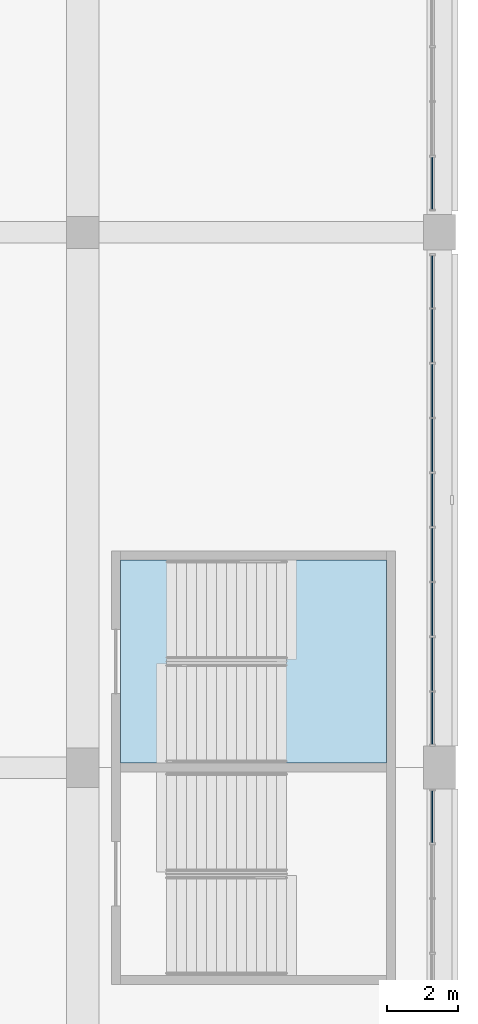
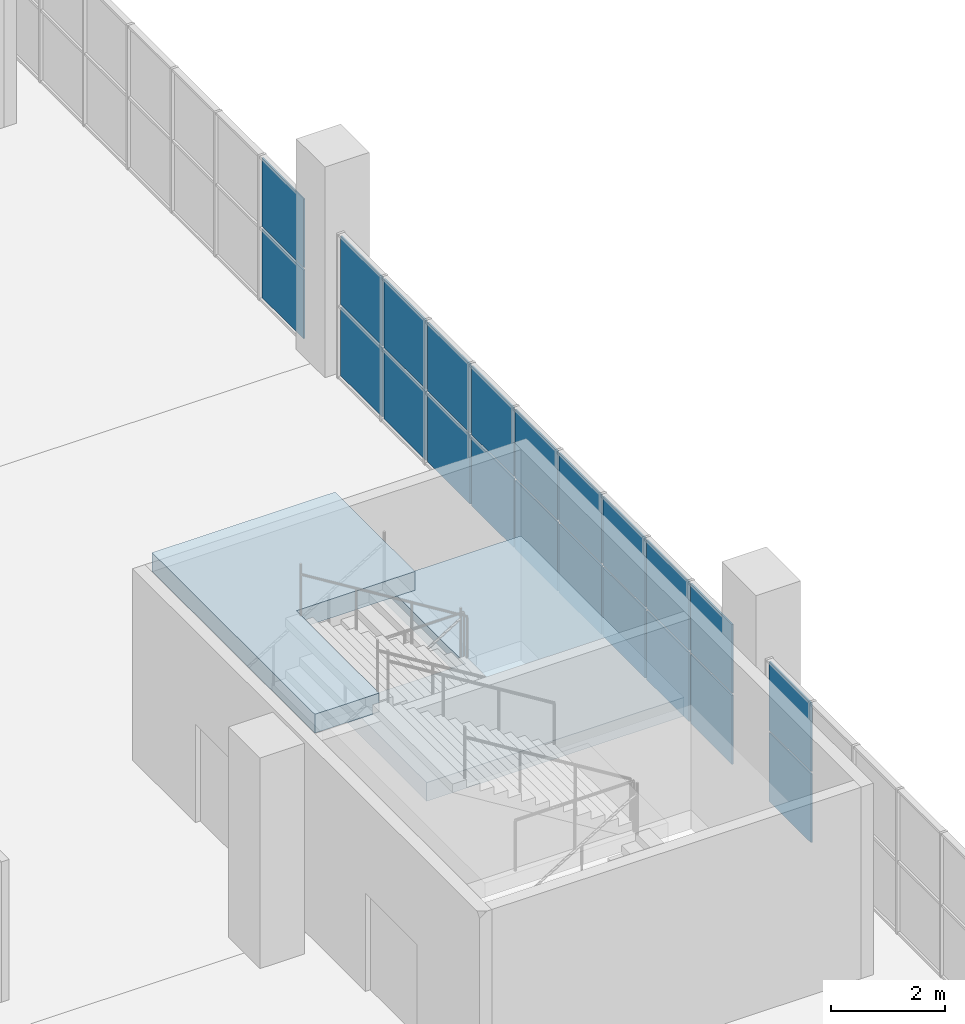
# One storey, part 65 of 199: 22 plates, 2 slabs, 4 elements without a shape of their own.
"""IFC4 building model written with IfcOpenShell, lengths in metres."""

from ifc_helpers import new_model, si_unit, direction, frame, origin, origin_2d, place, context, subcontext, project, spatial, polyline, rectangle, outline, extrude, material, layer, layer_set, type_object, element, aggregate, save


model = new_model("IFC4")

# Units and contexts
model_context = context("Model", 3, precision=1e-05, world=origin(), true_north=direction((0.0, 1.0)))
body_context = subcontext(model_context, "Body", "Model", "MODEL_VIEW")
ifc_project = project(units=[si_unit("LENGTHUNIT", "METRE"), si_unit("AREAUNIT", "SQUARE_METRE"), si_unit("VOLUMEUNIT", "CUBIC_METRE"), si_unit("PLANEANGLEUNIT", "RADIAN"), si_unit("MASSUNIT", "GRAM", prefix="KILO")], contexts=[model_context])

# Site, building, storey
site_placement = place(None, origin())
site = spatial("IfcSite", under=ifc_project, at=site_placement, CompositionType="ELEMENT")
building_placement = place(site_placement, origin())
building = spatial("IfcBuilding", under=site, at=building_placement, Name="Ogive Plaza Stadium", CompositionType="ELEMENT")
storey_placement = place(building_placement, frame((0.0, 0.0, 9.0)))
storey = spatial("IfcBuildingStorey", under=building, at=storey_placement, Name="L02", CompositionType="ELEMENT", Elevation=9.0)

# Curtain wall, plates
ifc_material_1 = material(Name="Bronze-anodised aluminium with laminated glass", Category="aluminium")
curtain_wall_type = type_object("IfcCurtainWallType", Name="Lancet curtain wall", PredefinedType="NOTDEFINED", material=ifc_material_1)
curtain_wall_1_placement = place(storey_placement, origin())
curtain_wall_1 = element("IfcCurtainWall", 1, at=curtain_wall_1_placement, inside=storey, type_object=curtain_wall_type, Name="CURTAIN WALL B02 L02", PredefinedType="NOTDEFINED")
ifc_material_2 = material(Name="Laminated glass", Category="glass")
ifc_layer_1 = layer(ifc_material_2, 0.028076171875)
ifc_layer_set_1 = layer_set([ifc_layer_1], Name="Laminated glass panel 28")
plate_type = type_object("IfcPlateType", Name="Laminated glass panel 28", PredefinedType="CURTAIN_PANEL", material=ifc_layer_set_1)
plate_1_placement = place(storey_placement, frame((83.800048828125, 23.879150390625, 0.0498046875), z_axis=(0.0, 0.0, 1.0), x_axis=(0.0, -1.0, 0.0)))
plate_1 = element("IfcPlate", 2, at=plate_1_placement, type_object=plate_type, Name="CW-B02-L02 panel 9.1", PredefinedType="CURTAIN_PANEL", context=body_context, shape_type="SweptSolid", body=[
    extrude(rectangle(XDim=1.458251953125, YDim=0.028076171875, at=origin_2d()), origin(), (0.0, 0.0, 1.0), 1.469970703125),
])
plate_2_placement = place(storey_placement, frame((83.800048828125, 23.879150390625, 1.56982421875), z_axis=(0.0, 0.0, 1.0), x_axis=(0.0, -1.0, 0.0)))
plate_2 = element("IfcPlate", 3, at=plate_2_placement, type_object=plate_type, Name="CW-B02-L02 panel 9.2", PredefinedType="CURTAIN_PANEL", context=body_context, shape_type="SweptSolid", body=[
    extrude(rectangle(XDim=1.458251953125, YDim=0.028076171875, at=origin_2d()), origin(), (0.0, 0.0, 1.0), 1.469970703125),
])
aggregate(curtain_wall_1, [plate_1, plate_2])

curtain_wall_2_placement = place(storey_placement, origin())
curtain_wall_2 = element("IfcCurtainWall", 4, at=curtain_wall_2_placement, inside=storey, type_object=curtain_wall_type, Name="CURTAIN WALL B03 L02", PredefinedType="NOTDEFINED")
plate_3_placement = place(storey_placement, frame((83.800048828125, 21.120849609375, 0.0498046875), z_axis=(0.0, 0.0, 1.0), x_axis=(0.0, -1.0, 0.0)))
plate_3 = element("IfcPlate", 5, at=plate_3_placement, type_object=plate_type, Name="CW-B03-L02 panel 1.1", PredefinedType="CURTAIN_PANEL", context=body_context, shape_type="SweptSolid", body=[
    extrude(rectangle(XDim=1.458251953125, YDim=0.028076171875, at=origin_2d()), origin(), (0.0, 0.0, 1.0), 1.469970703125),
])
plate_4_placement = place(storey_placement, frame((83.800048828125, 21.120849609375, 1.56982421875), z_axis=(0.0, 0.0, 1.0), x_axis=(0.0, -1.0, 0.0)))
plate_4 = element("IfcPlate", 6, at=plate_4_placement, type_object=plate_type, Name="CW-B03-L02 panel 1.2", PredefinedType="CURTAIN_PANEL", context=body_context, shape_type="SweptSolid", body=[
    extrude(rectangle(XDim=1.458251953125, YDim=0.028076171875, at=origin_2d()), origin(), (0.0, 0.0, 1.0), 1.469970703125),
])
plate_5_placement = place(storey_placement, frame((83.800048828125, 19.60009765625, 0.0498046875), z_axis=(0.0, 0.0, 1.0), x_axis=(0.0, -1.0, 0.0)))
plate_5 = element("IfcPlate", 7, at=plate_5_placement, type_object=plate_type, Name="CW-B03-L02 panel 2.1", PredefinedType="CURTAIN_PANEL", context=body_context, shape_type="SweptSolid", body=[
    extrude(rectangle(XDim=1.4833984375, YDim=0.028076171875, at=origin_2d()), origin(), (0.0, 0.0, 1.0), 1.469970703125),
])
plate_6_placement = place(storey_placement, frame((83.800048828125, 19.60009765625, 1.56982421875), z_axis=(0.0, 0.0, 1.0), x_axis=(0.0, -1.0, 0.0)))
plate_6 = element("IfcPlate", 8, at=plate_6_placement, type_object=plate_type, Name="CW-B03-L02 panel 2.2", PredefinedType="CURTAIN_PANEL", context=body_context, shape_type="SweptSolid", body=[
    extrude(rectangle(XDim=1.4833984375, YDim=0.028076171875, at=origin_2d()), origin(), (0.0, 0.0, 1.0), 1.469970703125),
])
plate_7_placement = place(storey_placement, frame((83.800048828125, 18.066650390625, 0.0498046875), z_axis=(0.0, 0.0, 1.0), x_axis=(0.0, -1.0, 0.0)))
plate_7 = element("IfcPlate", 9, at=plate_7_placement, type_object=plate_type, Name="CW-B03-L02 panel 3.1", PredefinedType="CURTAIN_PANEL", context=body_context, shape_type="SweptSolid", body=[
    extrude(rectangle(XDim=1.4833984375, YDim=0.028076171875, at=origin_2d()), origin(), (0.0, 0.0, 1.0), 1.469970703125),
])
plate_8_placement = place(storey_placement, frame((83.800048828125, 18.066650390625, 1.56982421875), z_axis=(0.0, 0.0, 1.0), x_axis=(0.0, -1.0, 0.0)))
plate_8 = element("IfcPlate", 10, at=plate_8_placement, type_object=plate_type, Name="CW-B03-L02 panel 3.2", PredefinedType="CURTAIN_PANEL", context=body_context, shape_type="SweptSolid", body=[
    extrude(rectangle(XDim=1.4833984375, YDim=0.028076171875, at=origin_2d()), origin(), (0.0, 0.0, 1.0), 1.469970703125),
])
plate_9_placement = place(storey_placement, frame((83.800048828125, 16.533447265625, 0.0498046875), z_axis=(0.0, 0.0, 1.0), x_axis=(0.0, -1.0, 0.0)))
plate_9 = element("IfcPlate", 11, at=plate_9_placement, type_object=plate_type, Name="CW-B03-L02 panel 4.1", PredefinedType="CURTAIN_PANEL", context=body_context, shape_type="SweptSolid", body=[
    extrude(rectangle(XDim=1.4833984375, YDim=0.028076171875, at=origin_2d()), origin(), (0.0, 0.0, 1.0), 1.469970703125),
])
plate_10_placement = place(storey_placement, frame((83.800048828125, 16.533447265625, 1.56982421875), z_axis=(0.0, 0.0, 1.0), x_axis=(0.0, -1.0, 0.0)))
plate_10 = element("IfcPlate", 12, at=plate_10_placement, type_object=plate_type, Name="CW-B03-L02 panel 4.2", PredefinedType="CURTAIN_PANEL", context=body_context, shape_type="SweptSolid", body=[
    extrude(rectangle(XDim=1.4833984375, YDim=0.028076171875, at=origin_2d()), origin(), (0.0, 0.0, 1.0), 1.469970703125),
])
plate_11_placement = place(storey_placement, frame((83.800048828125, 15.0, 0.0498046875), z_axis=(0.0, 0.0, 1.0), x_axis=(0.0, -1.0, 0.0)))
plate_11 = element("IfcPlate", 13, at=plate_11_placement, type_object=plate_type, Name="CW-B03-L02 panel 5.1", PredefinedType="CURTAIN_PANEL", context=body_context, shape_type="SweptSolid", body=[
    extrude(rectangle(XDim=1.4833984375, YDim=0.028076171875, at=origin_2d()), origin(), (0.0, 0.0, 1.0), 1.469970703125),
])
plate_12_placement = place(storey_placement, frame((83.800048828125, 15.0, 1.56982421875), z_axis=(0.0, 0.0, 1.0), x_axis=(0.0, -1.0, 0.0)))
plate_12 = element("IfcPlate", 14, at=plate_12_placement, type_object=plate_type, Name="CW-B03-L02 panel 5.2", PredefinedType="CURTAIN_PANEL", context=body_context, shape_type="SweptSolid", body=[
    extrude(rectangle(XDim=1.4833984375, YDim=0.028076171875, at=origin_2d()), origin(), (0.0, 0.0, 1.0), 1.469970703125),
])
plate_13_placement = place(storey_placement, frame((83.800048828125, 13.466552734375, 0.0498046875), z_axis=(0.0, 0.0, 1.0), x_axis=(0.0, -1.0, 0.0)))
plate_13 = element("IfcPlate", 15, at=plate_13_placement, type_object=plate_type, Name="CW-B03-L02 panel 6.1", PredefinedType="CURTAIN_PANEL", context=body_context, shape_type="SweptSolid", body=[
    extrude(rectangle(XDim=1.4833984375, YDim=0.028076171875, at=origin_2d()), origin(), (0.0, 0.0, 1.0), 1.469970703125),
])
plate_14_placement = place(storey_placement, frame((83.800048828125, 13.466552734375, 1.56982421875), z_axis=(0.0, 0.0, 1.0), x_axis=(0.0, -1.0, 0.0)))
plate_14 = element("IfcPlate", 16, at=plate_14_placement, type_object=plate_type, Name="CW-B03-L02 panel 6.2", PredefinedType="CURTAIN_PANEL", context=body_context, shape_type="SweptSolid", body=[
    extrude(rectangle(XDim=1.4833984375, YDim=0.028076171875, at=origin_2d()), origin(), (0.0, 0.0, 1.0), 1.469970703125),
])
plate_15_placement = place(storey_placement, frame((83.800048828125, 11.933349609375, 0.0498046875), z_axis=(0.0, 0.0, 1.0), x_axis=(0.0, -1.0, 0.0)))
plate_15 = element("IfcPlate", 17, at=plate_15_placement, type_object=plate_type, Name="CW-B03-L02 panel 7.1", PredefinedType="CURTAIN_PANEL", context=body_context, shape_type="SweptSolid", body=[
    extrude(rectangle(XDim=1.4833984375, YDim=0.028076171875, at=origin_2d()), origin(), (0.0, 0.0, 1.0), 1.469970703125),
])
plate_16_placement = place(storey_placement, frame((83.800048828125, 11.933349609375, 1.56982421875), z_axis=(0.0, 0.0, 1.0), x_axis=(0.0, -1.0, 0.0)))
plate_16 = element("IfcPlate", 18, at=plate_16_placement, type_object=plate_type, Name="CW-B03-L02 panel 7.2", PredefinedType="CURTAIN_PANEL", context=body_context, shape_type="SweptSolid", body=[
    extrude(rectangle(XDim=1.4833984375, YDim=0.028076171875, at=origin_2d()), origin(), (0.0, 0.0, 1.0), 1.469970703125),
])
plate_17_placement = place(storey_placement, frame((83.800048828125, 10.39990234375, 0.0498046875), z_axis=(0.0, 0.0, 1.0), x_axis=(0.0, -1.0, 0.0)))
plate_17 = element("IfcPlate", 19, at=plate_17_placement, type_object=plate_type, Name="CW-B03-L02 panel 8.1", PredefinedType="CURTAIN_PANEL", context=body_context, shape_type="SweptSolid", body=[
    extrude(rectangle(XDim=1.4833984375, YDim=0.028076171875, at=origin_2d()), origin(), (0.0, 0.0, 1.0), 1.469970703125),
])
plate_18_placement = place(storey_placement, frame((83.800048828125, 10.39990234375, 1.56982421875), z_axis=(0.0, 0.0, 1.0), x_axis=(0.0, -1.0, 0.0)))
plate_18 = element("IfcPlate", 20, at=plate_18_placement, type_object=plate_type, Name="CW-B03-L02 panel 8.2", PredefinedType="CURTAIN_PANEL", context=body_context, shape_type="SweptSolid", body=[
    extrude(rectangle(XDim=1.4833984375, YDim=0.028076171875, at=origin_2d()), origin(), (0.0, 0.0, 1.0), 1.469970703125),
])
plate_19_placement = place(storey_placement, frame((83.800048828125, 8.879150390625, 0.0498046875), z_axis=(0.0, 0.0, 1.0), x_axis=(0.0, -1.0, 0.0)))
plate_19 = element("IfcPlate", 21, at=plate_19_placement, type_object=plate_type, Name="CW-B03-L02 panel 9.1", PredefinedType="CURTAIN_PANEL", context=body_context, shape_type="SweptSolid", body=[
    extrude(rectangle(XDim=1.458251953125, YDim=0.028076171875, at=origin_2d()), origin(), (0.0, 0.0, 1.0), 1.469970703125),
])
plate_20_placement = place(storey_placement, frame((83.800048828125, 8.879150390625, 1.56982421875), z_axis=(0.0, 0.0, 1.0), x_axis=(0.0, -1.0, 0.0)))
plate_20 = element("IfcPlate", 22, at=plate_20_placement, type_object=plate_type, Name="CW-B03-L02 panel 9.2", PredefinedType="CURTAIN_PANEL", context=body_context, shape_type="SweptSolid", body=[
    extrude(rectangle(XDim=1.458251953125, YDim=0.028076171875, at=origin_2d()), origin(), (0.0, 0.0, 1.0), 1.469970703125),
])
aggregate(curtain_wall_2, [plate_3, plate_4, plate_5, plate_6, plate_7, plate_8, plate_9, plate_10, plate_11, plate_12, plate_13, plate_14, plate_15, plate_16, plate_17, plate_18, plate_19, plate_20])

curtain_wall_3_placement = place(storey_placement, origin())
curtain_wall_3 = element("IfcCurtainWall", 23, at=curtain_wall_3_placement, inside=storey, type_object=curtain_wall_type, Name="CURTAIN WALL B04 L02", PredefinedType="NOTDEFINED")
plate_21_placement = place(storey_placement, frame((83.800048828125, 6.120849609375, 0.0498046875), z_axis=(0.0, 0.0, 1.0), x_axis=(0.0, -1.0, 0.0)))
plate_21 = element("IfcPlate", 24, at=plate_21_placement, type_object=plate_type, Name="CW-B04-L02 panel 1.1", PredefinedType="CURTAIN_PANEL", context=body_context, shape_type="SweptSolid", body=[
    extrude(rectangle(XDim=1.458251953125, YDim=0.028076171875, at=origin_2d()), origin(), (0.0, 0.0, 1.0), 1.469970703125),
])
plate_22_placement = place(storey_placement, frame((83.800048828125, 6.120849609375, 1.56982421875), z_axis=(0.0, 0.0, 1.0), x_axis=(0.0, -1.0, 0.0)))
plate_22 = element("IfcPlate", 25, at=plate_22_placement, type_object=plate_type, Name="CW-B04-L02 panel 1.2", PredefinedType="CURTAIN_PANEL", context=body_context, shape_type="SweptSolid", body=[
    extrude(rectangle(XDim=1.458251953125, YDim=0.028076171875, at=origin_2d()), origin(), (0.0, 0.0, 1.0), 1.469970703125),
])
aggregate(curtain_wall_3, [plate_21, plate_22])

# Stair, slabs
ifc_material_3 = material(Name="Concrete C40/50", Category="concrete")
stair_type = type_object("IfcStairType", Name="Exit stair", PredefinedType="STRAIGHT_RUN_STAIR", material=ifc_material_3)
stair_placement = place(storey_placement, origin())
stair = element("IfcStair", 26, at=stair_placement, inside=storey, type_object=stair_type, Name="Exit stair ST04B L02 to L03", PredefinedType="STRAIGHT_RUN_STAIR")
ifc_material_4 = material(Name="Concrete C40/50", Category="concrete")
ifc_layer_2 = layer(ifc_material_4, 0.39990234375)
ifc_layer_set_2 = layer_set([ifc_layer_2], Name="Concrete C40/50")
slab_type = type_object("IfcSlabType", Name="Stair landing", PredefinedType="LANDING", material=ifc_layer_set_2)
slab_1_placement = place(storey_placement, frame((0.0, 0.0, 1.85009765625)))
slab_1 = element("IfcSlab", 27, at=slab_1_placement, type_object=slab_type, Name="ST04B landing 1", PredefinedType="LANDING", context=body_context, shape_type="SweptSolid", body=[
    extrude(outline(polyline([(77.31005859375, 7.625), (77.31005859375, 10.425048828125), (79.7099609375, 10.425048828125), (79.7099609375, 13.324951171875), (82.510009765625, 13.324951171875), (82.510009765625, 7.625), (79.7099609375, 7.625), (77.31005859375, 7.625)])), origin(), (0.0, 0.0, 1.0), 0.39990234375),
])
slab_2_placement = place(storey_placement, frame((0.0, 0.0, 4.10009765625)))
slab_2 = element("IfcSlab", 28, at=slab_2_placement, type_object=slab_type, Name="ST04B landing 2", PredefinedType="LANDING", context=body_context, shape_type="SweptSolid", body=[
    extrude(outline(polyline([(76.35009765625, 7.625), (75.050048828125, 7.625), (75.050048828125, 13.324951171875), (76.35009765625, 13.324951171875), (78.75, 13.324951171875), (78.75, 10.52490234375), (76.35009765625, 10.52490234375), (76.35009765625, 7.625)])), origin(), (0.0, 0.0, 1.0), 0.39990234375),
])
aggregate(stair, [slab_1, slab_2])

save(model, "model.ifc")
